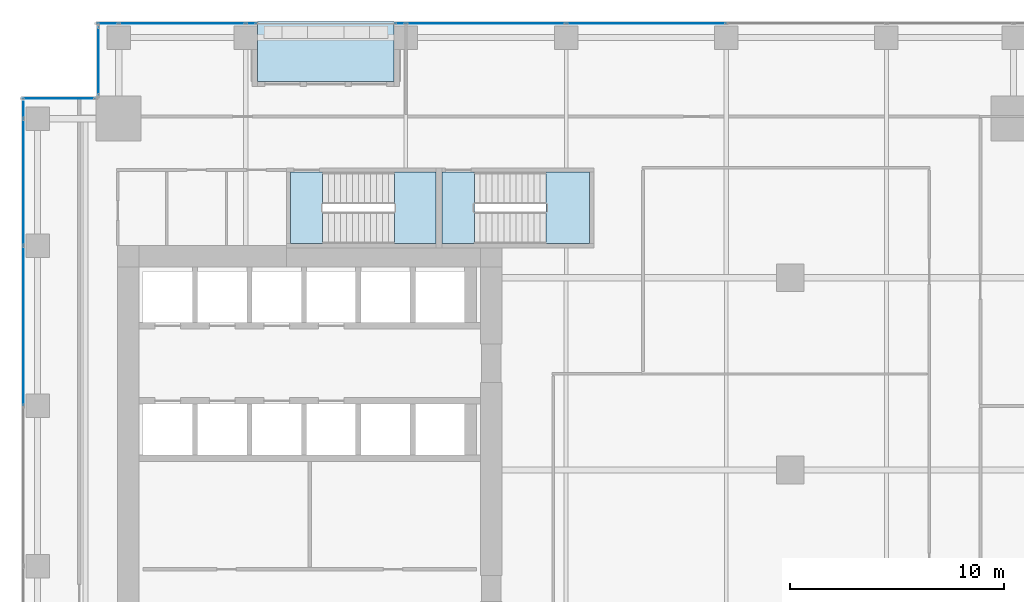
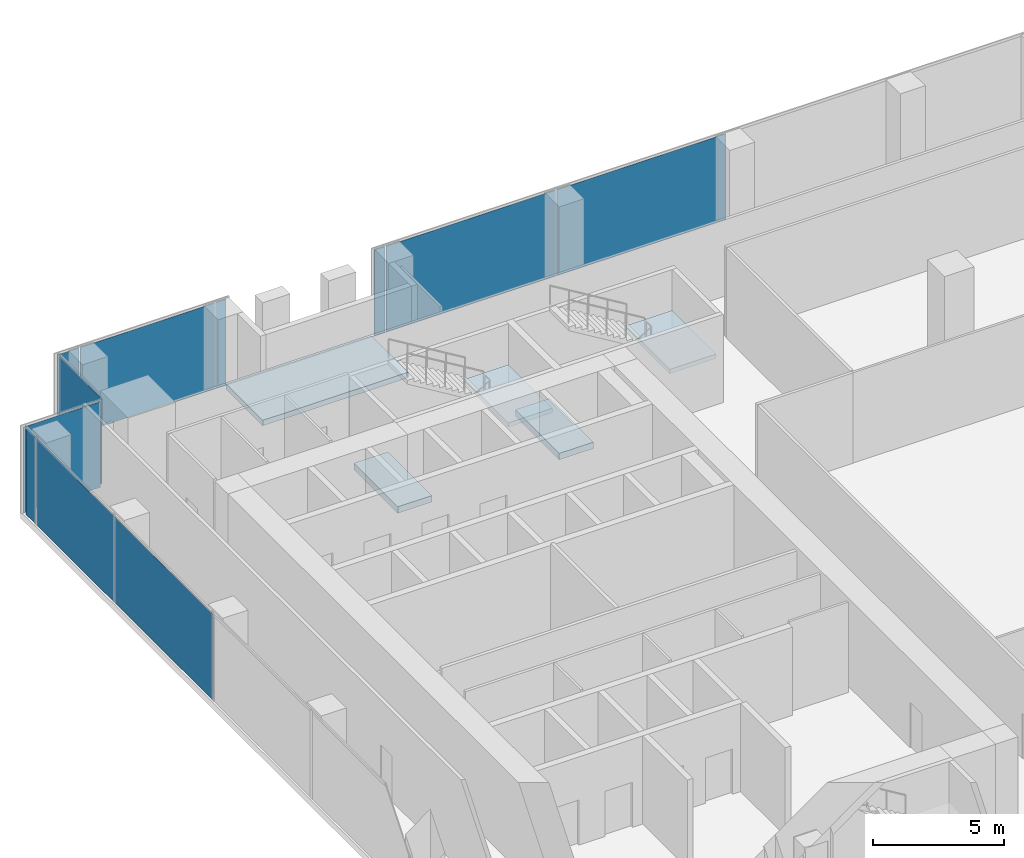
# One storey, part 26 of 34: 11 plates, 5 slabs, 7 elements without a shape of their own.
"""IFC4 building model written with IfcOpenShell, lengths in metres."""

import ifcopenshell
import ifcopenshell.guid

model = None  # the IFC model being written
_history = None  # IfcOwnerHistory: only IFC2X3 demands one
_inside = {}  # id of a spatial element -> (the spatial element, [elements in it])
_under = {}  # id of a project, library or spatial element -> (it, [spatial elements below it])
_declared = {}  # id of a project -> (the project, [libraries it declares])
_typed = {}  # id of a type object -> (the type object, [elements of that type])
_made_of = {}  # id of a material, layer set ... -> (it, [elements and type objects made of it])


def new_model(schema):
    """Start an empty IFC model of exactly this schema.

    Asked for "IFC4X3", IfcOpenShell would pick the latest addendum, in which some entities
    have other attributes; the version numbers below select the first issue.
    IFC2X3 requires an IfcOwnerHistory on every rooted entity: one is made here for all.
    """
    global model, _history
    if schema == "IFC4X3":
        model = ifcopenshell.file(schema_version=(4, 3, 0, 0))
    else:
        model = ifcopenshell.file(schema=schema)
    _inside.clear()
    _under.clear()
    _declared.clear()
    _typed.clear()
    _made_of.clear()
    _history = None
    if model.schema == "IFC2X3":
        org = make("IfcOrganization", Name="unknown")
        user = make(
            "IfcPersonAndOrganization",
            ThePerson=make("IfcPerson", FamilyName="unknown"),
            TheOrganization=org,
        )
        app = make(
            "IfcApplication",
            ApplicationDeveloper=org,
            Version="unknown",
            ApplicationFullName="unknown",
            ApplicationIdentifier="unknown",
        )
        _history = make(
            "IfcOwnerHistory",
            OwningUser=user,
            OwningApplication=app,
            ChangeAction="ADDED",
            CreationDate=0,
        )
    return model


def make(cls, **values):
    """One entity of the class cls with the attributes given. An attribute that is None is left unset."""
    return model.create_entity(
        cls, **{name: value for name, value in values.items() if value is not None}
    )


def rooted(cls, **values):
    """An entity with a GlobalId (a new one), such as an element, a storey or a relation."""
    return make(cls, GlobalId=ifcopenshell.guid.new(), OwnerHistory=_history, **values)


def si_unit(unit_type, name, prefix=None):
    """IfcSIUnit, for example si_unit("LENGTHUNIT", "METRE", prefix="MILLI")."""
    return make("IfcSIUnit", UnitType=unit_type, Prefix=prefix, Name=name)


def assignment(units):
    """IfcUnitAssignment: the units of a project."""
    return None if units is None else make("IfcUnitAssignment", Units=units)


def point(xyz):
    """IfcCartesianPoint."""
    return None if xyz is None else make("IfcCartesianPoint", Coordinates=xyz)


def direction(xyz):
    """IfcDirection."""
    return None if xyz is None else make("IfcDirection", DirectionRatios=xyz)


def frame(location, z_axis=None, x_axis=None):
    """IfcAxis2Placement3D, a coordinate frame: its origin and axes. An axis left out is left unset."""
    return make(
        "IfcAxis2Placement3D",
        Location=point(location),
        Axis=direction(z_axis),
        RefDirection=direction(x_axis),
    )


def frame_2d(location, x_axis=None):
    """IfcAxis2Placement2D, a coordinate frame in the plane: its origin and x axis."""
    return make(
        "IfcAxis2Placement2D", Location=point(location), RefDirection=direction(x_axis)
    )


def origin():
    """The frame at (0, 0, 0) with its axes left unset."""
    return frame((0.0, 0.0, 0.0))


def origin_2d():
    """The frame at (0, 0) in the plane with its x axis left unset."""
    return frame_2d((0.0, 0.0))


def place(relative_to, where):
    """IfcLocalPlacement: puts the frame where relative to a parent placement (None: the world)."""
    return make(
        "IfcLocalPlacement", PlacementRelTo=relative_to, RelativePlacement=where
    )


def context(
    kind, dimensions, precision=None, world=None, true_north=None, identifier=None
):
    """IfcGeometricRepresentationContext, for example the 3D "Model" context."""
    return make(
        "IfcGeometricRepresentationContext",
        ContextIdentifier=identifier,
        ContextType=kind,
        CoordinateSpaceDimension=dimensions,
        Precision=precision,
        WorldCoordinateSystem=world,
        TrueNorth=true_north,
    )


def subcontext(parent, identifier, kind, view, scale=None):
    """IfcGeometricRepresentationSubContext, for example "Body" below "Model"."""
    return make(
        "IfcGeometricRepresentationSubContext",
        ContextIdentifier=identifier,
        ContextType=kind,
        ParentContext=parent,
        TargetScale=scale,
        TargetView=view,
    )


def project(units=None, contexts=None):
    """IfcProject with its units and contexts."""
    return rooted(
        "IfcProject",
        Name="project",
        RepresentationContexts=contexts,
        UnitsInContext=assignment(units),
    )


def spatial(cls, under=None, at=None, **own):
    """A site, building, storey or space (cls), placed at a placement, below another one or the project."""
    s = rooted(cls, ObjectPlacement=at, **own)
    if under is not None:
        _under.setdefault(under.id(), (under, []))[1].append(s)
    return s


def polyline(points):
    """IfcPolyline through the points."""
    return make("IfcPolyline", Points=[point(p) for p in points])


def profile(cls, at=None, kind="AREA", **sizes):
    """A parametric profile (cls). Its sizes go by their IFC names, for example OverallWidth=200.0."""
    return make(cls, ProfileType=kind, Position=at, **sizes)


def rectangle(**sizes):
    """IfcRectangleProfileDef."""
    return profile("IfcRectangleProfileDef", **sizes)


def outline(outer, holes=None, kind="AREA"):
    """IfcArbitraryClosedProfileDef: a profile drawn as a closed curve; with holes, ...WithVoids."""
    if holes is None:
        return make("IfcArbitraryClosedProfileDef", ProfileType=kind, OuterCurve=outer)
    return make(
        "IfcArbitraryProfileDefWithVoids",
        ProfileType=kind,
        OuterCurve=outer,
        InnerCurves=holes,
    )


def extrude(swept, where, along, depth):
    """IfcExtrudedAreaSolid: the profile swept, set in the frame where, extruded along a direction by depth."""
    return make(
        "IfcExtrudedAreaSolid",
        SweptArea=swept,
        Position=where,
        ExtrudedDirection=direction(along),
        Depth=depth,
    )


def shape(context_of_items, identifier, shape_type, items):
    """IfcShapeRepresentation: the items that make up one representation, for example the "Body"."""
    return make(
        "IfcShapeRepresentation",
        ContextOfItems=context_of_items,
        RepresentationIdentifier=identifier,
        RepresentationType=shape_type,
        Items=items,
    )


def source(mapping_origin, context_of_items, identifier, shape_type, items):
    """IfcRepresentationMap: a shape defined once, which mapped items show again and again."""
    return make(
        "IfcRepresentationMap",
        MappingOrigin=mapping_origin,
        MappedRepresentation=shape(context_of_items, identifier, shape_type, items),
    )


def transform(
    local_origin,
    x_axis=None,
    y_axis=None,
    z_axis=None,
    scale=None,
    scale2=None,
    scale3=None,
    uniform=True,
):
    """IfcCartesianTransformationOperator3D, or its non-uniform kind. x_axis, y_axis, z_axis: its Axis1, 2, 3."""
    if uniform:
        return make(
            "IfcCartesianTransformationOperator3D",
            Axis1=direction(x_axis),
            Axis2=direction(y_axis),
            LocalOrigin=point(local_origin),
            Scale=scale,
            Axis3=direction(z_axis),
        )
    return make(
        "IfcCartesianTransformationOperator3DnonUniform",
        Axis1=direction(x_axis),
        Axis2=direction(y_axis),
        LocalOrigin=point(local_origin),
        Scale=scale,
        Axis3=direction(z_axis),
        Scale2=scale2,
        Scale3=scale3,
    )


def mapped(mapping_source, mapping_target):
    """IfcMappedItem: shows the shape of a source again, moved by a transform."""
    return make(
        "IfcMappedItem", MappingSource=mapping_source, MappingTarget=mapping_target
    )


def material(Name=None, Category=None):
    """IfcMaterial."""
    return make("IfcMaterial", Name=Name, Category=Category)


def layer(
    of_material, thickness, ventilated=None, Name=None, Category=None, Priority=None
):
    """IfcMaterialLayer: one layer of a wall or slab, of a material (None: an air gap)."""
    return make(
        "IfcMaterialLayer",
        Material=of_material,
        LayerThickness=thickness,
        IsVentilated=ventilated,
        Name=Name,
        Category=Category,
        Priority=Priority,
    )


def layer_set(layers, Name=None):
    """IfcMaterialLayerSet."""
    return make("IfcMaterialLayerSet", MaterialLayers=layers, LayerSetName=Name)


def made_of(thing, what):
    """Note that an element or type object is made of a material, layer set ...; save() writes the relation."""
    if what is not None:
        _made_of.setdefault(what.id(), (what, []))[1].append(thing)
    return thing


def type_object(cls, material=None, **own):
    """A type object (cls), such as IfcWallType, which elements share."""
    return made_of(rooted(cls, **own), material)


def element(
    cls,
    number,
    at=None,
    inside=None,
    cuts=None,
    type_object=None,
    material=None,
    context=None,
    identifier="Body",
    shape_type=None,
    held_by="IfcProductDefinitionShape",
    body=None,
    shapes=None,
    **own,
):
    """One element of the class cls, such as IfcWall. Its Tag is "e" and its number.

    at: its placement. inside: the storey or other place that contains it. cuts: it is an
    opening in that element (IfcRelVoidsElement). A single representation is given by context,
    identifier, shape_type and body (its items); several are given by shapes. held_by: the class
    of the entity that holds the representations. save() writes the other relations.
    """
    e = rooted(cls, Tag="e%d" % number, ObjectPlacement=at, **own)
    if body is not None:
        shapes = [shape(context, identifier, shape_type, body)]
    if shapes is not None:
        e.Representation = make(held_by, Representations=shapes)
    if inside is not None:
        _inside.setdefault(inside.id(), (inside, []))[1].append(e)
    if cuts is not None:
        rooted(
            "IfcRelVoidsElement", RelatingBuildingElement=cuts, RelatedOpeningElement=e
        )
    if type_object is not None:
        _typed.setdefault(type_object.id(), (type_object, []))[1].append(e)
    return made_of(e, material)


def aggregate(whole, parts):
    """IfcRelAggregates: a whole, such as a stair, and the parts it consists of."""
    return rooted("IfcRelAggregates", RelatingObject=whole, RelatedObjects=parts)


def save(model, path):
    """Write the relations noted so far, then the file.

    IfcRelAggregates (storeys below a building ...), IfcRelContainedInSpatialStructure (elements
    in a storey), IfcRelDefinesByType, IfcRelAssociatesMaterial and IfcRelDeclares: one each for
    every whole, place, type object, material and project.
    """
    for whole, parts in _under.values():
        aggregate(whole, parts)
    for where, things in _inside.values():
        rooted(
            "IfcRelContainedInSpatialStructure",
            RelatedElements=things,
            RelatingStructure=where,
        )
    for kind, things in _typed.values():
        rooted("IfcRelDefinesByType", RelatedObjects=things, RelatingType=kind)
    for what, things in _made_of.values():
        rooted("IfcRelAssociatesMaterial", RelatedObjects=things, RelatingMaterial=what)
    for by, libraries in _declared.values():
        rooted("IfcRelDeclares", RelatingContext=by, RelatedDefinitions=libraries)
    model.write(path)


model = new_model("IFC4")

# Units and contexts
model_context = context("Model", 3, precision=1e-05, world=origin(), true_north=direction((0.0, 1.0)))
body_context = subcontext(model_context, "Body", "Model", "MODEL_VIEW")
ifc_project = project(units=[si_unit("LENGTHUNIT", "METRE"), si_unit("AREAUNIT", "SQUARE_METRE"), si_unit("VOLUMEUNIT", "CUBIC_METRE"), si_unit("PLANEANGLEUNIT", "RADIAN"), si_unit("MASSUNIT", "GRAM", prefix="KILO")], contexts=[model_context])

# Site, building, storey
site_placement = place(None, origin())
site = spatial("IfcSite", under=ifc_project, at=site_placement, CompositionType="ELEMENT")
building_placement = place(site_placement, origin())
building = spatial("IfcBuilding", under=site, at=building_placement, Name="Khomas Fold Tower", CompositionType="ELEMENT")
storey_placement = place(building_placement, frame((0.0, 0.0, 145.5)))
storey = spatial("IfcBuildingStorey", under=building, at=storey_placement, Name="L31", CompositionType="ELEMENT", Elevation=145.5)

# Curtain wall, plate
ifc_material_1 = material(Name="Aluminium framed double glazing", Category="aluminium")
curtain_wall_type = type_object("IfcCurtainWallType", Name="SK-Unitised clear-glass wall, growing floors CW1", PredefinedType="NOTDEFINED", material=ifc_material_1)
curtain_wall_1_placement = place(storey_placement, origin())
curtain_wall_1 = element("IfcCurtainWall", 1, at=curtain_wall_1_placement, inside=storey, type_object=curtain_wall_type, Name="CW1 run L31 09-0", PredefinedType="NOTDEFINED")
ifc_material_2 = material(Name="Clear double glazed unit")
ifc_layer_1 = layer(ifc_material_2, 0.031982421875)
ifc_layer_set_1 = layer_set([ifc_layer_1], Name="Clear double glazed unit")
plate_type = type_object("IfcPlateType", Name="SK-Unitised clear-glass wall, growing floors glass panel CW1-P", PredefinedType="CURTAIN_PANEL", material=ifc_layer_set_1)
shared_shape_1 = source(origin(), body_context, "Body", "SweptSolid", [
    extrude(rectangle(XDim=0.760009765625, YDim=0.031982421875, at=origin_2d()), origin(), (0.0, 0.0, 1.0), 3.97998046875),
])
plate_1_placement = place(storey_placement, frame((1.60009765625, 48.360107421875, 0.0), z_axis=(0.0, 0.0, 1.0), x_axis=(0.0, -1.0, 0.0)))
plate_1 = element("IfcPlate", 2, at=plate_1_placement, type_object=plate_type, Name="CW1 glass panel 1", PredefinedType="CURTAIN_PANEL", context=body_context, shape_type="MappedRepresentation", body=[
    mapped(shared_shape_1, transform((0.0, 0.0, 0.0))),
])

curtain_wall_2_placement = place(storey_placement, origin())
curtain_wall_2 = element("IfcCurtainWall", 3, at=curtain_wall_2_placement, inside=storey, type_object=curtain_wall_type, Name="CW1 run L31 06-1", PredefinedType="NOTDEFINED")
shared_shape_2 = source(origin(), body_context, "Body", "SweptSolid", [
    extrude(rectangle(XDim=5.889892578125, YDim=0.031982421875, at=origin_2d()), origin(), (0.0, 0.0, 1.0), 3.97998046875),
])
plate_2_placement = place(storey_placement, frame((9.02490234375, 52.39990234375, 0.0), z_axis=(0.0, 0.0, 1.0), x_axis=(-1.0, 0.0, 0.0)))
plate_2 = element("IfcPlate", 4, at=plate_2_placement, type_object=plate_type, Name="CW1 glass panel 2", PredefinedType="CURTAIN_PANEL", context=body_context, shape_type="MappedRepresentation", body=[
    mapped(shared_shape_2, transform((0.0, 0.0, 0.0))),
])

# Plate
plate_3_placement = place(storey_placement, frame((1.60009765625, 44.97509765625, 0.0), z_axis=(0.0, 0.0, 1.0), x_axis=(0.0, -1.0, 0.0)))
plate_3 = element("IfcPlate", 5, at=plate_3_placement, type_object=plate_type, Name="CW1 glass panel 2", PredefinedType="CURTAIN_PANEL", context=body_context, shape_type="MappedRepresentation", body=[
    mapped(shared_shape_2, transform((0.0, 0.0, 0.0))),
])

# Curtain wall, plates
curtain_wall_3_placement = place(storey_placement, origin())
curtain_wall_3 = element("IfcCurtainWall", 6, at=curtain_wall_3_placement, inside=storey, type_object=curtain_wall_type, Name="CW1 run L31 06-0", PredefinedType="NOTDEFINED")
shared_shape_3 = source(origin(), body_context, "Body", "SweptSolid", [
    extrude(rectangle(XDim=7.43994140625, YDim=0.031982421875, at=origin_2d()), origin(), (0.0, 0.0, 1.0), 3.97998046875),
])
plate_4_placement = place(storey_placement, frame((30.75, 52.39990234375, 0.0), z_axis=(0.0, 0.0, 1.0), x_axis=(-1.0, 0.0, 0.0)))
plate_4 = element("IfcPlate", 7, at=plate_4_placement, type_object=plate_type, Name="CW1 glass panel 4", PredefinedType="CURTAIN_PANEL", context=body_context, shape_type="MappedRepresentation", body=[
    mapped(shared_shape_3, transform((0.0, 0.0, 0.0))),
])
plate_5_placement = place(storey_placement, frame((23.25, 52.39990234375, 0.0), z_axis=(0.0, 0.0, 1.0), x_axis=(-1.0, 0.0, 0.0)))
plate_5 = element("IfcPlate", 8, at=plate_5_placement, type_object=plate_type, Name="CW1 glass panel 5", PredefinedType="CURTAIN_PANEL", context=body_context, shape_type="MappedRepresentation", body=[
    mapped(shared_shape_3, transform((0.0, 0.0, 0.0))),
])

# Plate
plate_6_placement = place(storey_placement, frame((1.60009765625, 38.25, 0.0), z_axis=(0.0, 0.0, 1.0), x_axis=(0.0, -1.0, 0.0)))
plate_6 = element("IfcPlate", 9, at=plate_6_placement, type_object=plate_type, Name="CW1 glass panel 3", PredefinedType="CURTAIN_PANEL", context=body_context, shape_type="MappedRepresentation", body=[
    mapped(shared_shape_3, transform((0.0, 0.0, 0.0))),
])

aggregate(curtain_wall_1, [plate_1, plate_3, plate_6])

shared_shape_4 = source(origin(), body_context, "Body", "SweptSolid", [
    extrude(rectangle(XDim=0.9599609375, YDim=0.031982421875, at=origin_2d()), origin(), (0.0, 0.0, 1.0), 3.97998046875),
])
plate_7_placement = place(storey_placement, frame((5.5400390625, 52.39990234375, 0.0), z_axis=(0.0, 0.0, 1.0), x_axis=(-1.0, 0.0, 0.0)))
plate_7 = element("IfcPlate", 10, at=plate_7_placement, type_object=plate_type, Name="CW1 glass panel 3", PredefinedType="CURTAIN_PANEL", context=body_context, shape_type="MappedRepresentation", body=[
    mapped(shared_shape_4, transform((0.0, 0.0, 0.0))),
])

# Curtain wall, plate
curtain_wall_4_placement = place(storey_placement, origin())
curtain_wall_4 = element("IfcCurtainWall", 11, at=curtain_wall_4_placement, inside=storey, type_object=curtain_wall_type, Name="CW1 corner return L31 07", PredefinedType="NOTDEFINED")
shared_shape_5 = source(origin(), body_context, "Body", "SweptSolid", [
    extrude(rectangle(XDim=3.179931640625, YDim=0.031982421875, at=origin_2d()), origin(), (0.0, 0.0, 1.0), 3.97998046875),
])
plate_8_placement = place(storey_placement, frame((5.10009765625, 50.64990234375, 0.0), z_axis=(0.0, 0.0, 1.0), x_axis=(0.0, -1.0, 0.0)))
plate_8 = element("IfcPlate", 12, at=plate_8_placement, type_object=plate_type, Name="CW1 glass panel 1", PredefinedType="CURTAIN_PANEL", context=body_context, shape_type="MappedRepresentation", body=[
    mapped(shared_shape_5, transform((0.0, 0.0, 0.0))),
])
aggregate(curtain_wall_4, [plate_8])

curtain_wall_5_placement = place(storey_placement, origin())
curtain_wall_5 = element("IfcCurtainWall", 13, at=curtain_wall_5_placement, inside=storey, type_object=curtain_wall_type, Name="CW1 corner return L31 08", PredefinedType="NOTDEFINED")
shared_shape_6 = source(origin(), body_context, "Body", "SweptSolid", [
    extrude(rectangle(XDim=3.3798828125, YDim=0.031982421875, at=origin_2d()), origin(), (0.0, 0.0, 1.0), 3.97998046875),
])
plate_9_placement = place(storey_placement, frame((3.25, 48.89990234375, 0.0), z_axis=(0.0, 0.0, 1.0), x_axis=(-1.0, 0.0, 0.0)))
plate_9 = element("IfcPlate", 14, at=plate_9_placement, type_object=plate_type, Name="CW1 glass panel 1", PredefinedType="CURTAIN_PANEL", context=body_context, shape_type="MappedRepresentation", body=[
    mapped(shared_shape_6, transform((0.0, 0.0, 0.0))),
])
aggregate(curtain_wall_5, [plate_9])

# Plate
shared_shape_7 = source(origin(), body_context, "Body", "SweptSolid", [
    extrude(rectangle(XDim=0.4599609375, YDim=0.031982421875, at=origin_2d()), origin(), (0.0, 0.0, 1.0), 3.97998046875),
])
plate_10_placement = place(storey_placement, frame((19.239990234375, 52.39990234375, 0.0), z_axis=(0.0, 0.0, 1.0), x_axis=(-1.0, 0.0, 0.0)))
plate_10 = element("IfcPlate", 15, at=plate_10_placement, type_object=plate_type, Name="CW1 glass panel 6", PredefinedType="CURTAIN_PANEL", context=body_context, shape_type="MappedRepresentation", body=[
    mapped(shared_shape_7, transform((0.0, 0.0, 0.0))),
])

aggregate(curtain_wall_3, [plate_4, plate_5, plate_10])

plate_11_placement = place(storey_placement, frame((12.260009765625, 52.39990234375, 0.0), z_axis=(0.0, 0.0, 1.0), x_axis=(-1.0, 0.0, 0.0)))
plate_11 = element("IfcPlate", 16, at=plate_11_placement, type_object=plate_type, Name="CW1 glass panel 1", PredefinedType="CURTAIN_PANEL", context=body_context, shape_type="MappedRepresentation", body=[
    mapped(shared_shape_7, transform((0.0, 0.0, 0.0))),
])

aggregate(curtain_wall_2, [plate_11, plate_2, plate_7])

# Slab
ifc_material_3 = material(Name="Concrete C40/50", Category="concrete")
ifc_layer_2 = layer(ifc_material_3, 0.2548828125)
ifc_layer_set_2 = layer_set([ifc_layer_2], Name="Concrete C40/50")
slab_type_1 = type_object("IfcSlabType", Name="BL-Balcony deck 255", PredefinedType="FLOOR", material=ifc_layer_set_2)
shared_shape_8 = source(origin(), body_context, "Body", "SweptSolid", [
    extrude(outline(polyline([(12.550048828125, 49.699951171875), (18.949951171875, 49.699951171875), (18.949951171875, 52.5), (12.550048828125, 52.5), (12.550048828125, 49.699951171875)])), origin(), (0.0, 0.0, 1.0), 0.255126953125),
])
slab_1_placement = place(storey_placement, frame((0.0, 0.0, -0.300048828125)))
element("IfcSlab", 17, at=slab_1_placement, inside=storey, type_object=slab_type_1, Name="Balcony deck BAL-L31-N1", PredefinedType="FLOOR", context=body_context, shape_type="MappedRepresentation", body=[
    mapped(shared_shape_8, transform((0.0, 0.0, 0.0))),
])

# Stair, slab
ifc_material_4 = material(Name="Concrete C40/50", Category="concrete")
stair_type_1 = type_object("IfcStairType", Name="Stair ST1", PredefinedType="HALF_TURN_STAIR", material=ifc_material_4)
stair_1_placement = place(storey_placement, origin())
stair_1 = element("IfcStair", 18, at=stair_1_placement, inside=storey, type_object=stair_type_1, Name="L31 ST1", PredefinedType="HALF_TURN_STAIR")
ifc_material_5 = material(Name="Concrete C40/50", Category="concrete")
ifc_layer_3 = layer(ifc_material_5, 0.199951171875)
ifc_layer_set_3 = layer_set([ifc_layer_3], Name="Concrete C40/50")
slab_type_2 = type_object("IfcSlabType", Name="Stair landing 200", PredefinedType="LANDING", material=ifc_layer_set_3)
shared_shape_9 = source(origin(), body_context, "Body", "SweptSolid", [
    extrude(outline(polyline([(18.9599609375, 42.10009765625), (20.89990234375, 42.10009765625), (20.89990234375, 45.449951171875), (18.9599609375, 45.449951171875), (18.9599609375, 42.10009765625)])), origin(), (0.0, 0.0, 1.0), 0.199951171875),
])
slab_2_placement = place(storey_placement, frame((0.0, 0.0, 2.0)))
slab_2 = element("IfcSlab", 19, at=slab_2_placement, type_object=slab_type_2, Name="ST1 landing 1", PredefinedType="LANDING", context=body_context, shape_type="MappedRepresentation", body=[
    mapped(shared_shape_9, transform((0.0, 0.0, 0.0))),
])
aggregate(stair_1, [slab_2])

# Slab
ifc_material_6 = material(Name="Concrete C40/50", Category="concrete")
ifc_layer_4 = layer(ifc_material_6, 0.300048828125)
ifc_layer_set_4 = layer_set([ifc_layer_4], Name="Concrete C40/50")
slab_type_3 = type_object("IfcSlabType", Name="Stair floor landing 300", PredefinedType="LANDING", material=ifc_layer_set_4)
shared_shape_10 = source(origin(), body_context, "Body", "SweptSolid", [
    extrude(outline(polyline([(15.60009765625, 42.10009765625), (14.10009765625, 42.10009765625), (14.10009765625, 45.449951171875), (15.60009765625, 45.449951171875), (15.60009765625, 42.10009765625)])), origin(), (0.0, 0.0, 1.0), 0.300048828125),
])
slab_3_placement = place(storey_placement, frame((0.0, 0.0, -0.300048828125)))
element("IfcSlab", 20, at=slab_3_placement, inside=storey, type_object=slab_type_3, Name="ST1 floor landing", PredefinedType="LANDING", context=body_context, shape_type="MappedRepresentation", body=[
    mapped(shared_shape_10, transform((0.0, 0.0, 0.0))),
])

# Stair, slab
ifc_material_7 = material(Name="Concrete C40/50", Category="concrete")
stair_type_2 = type_object("IfcStairType", Name="Stair ST3", PredefinedType="HALF_TURN_STAIR", material=ifc_material_7)
stair_2_placement = place(storey_placement, origin())
stair_2 = element("IfcStair", 21, at=stair_2_placement, inside=storey, type_object=stair_type_2, Name="L31 ST3", PredefinedType="HALF_TURN_STAIR")
shared_shape_11 = source(origin(), body_context, "Body", "SweptSolid", [
    extrude(outline(polyline([(26.06005859375, 42.10009765625), (28.10009765625, 42.10009765625), (28.10009765625, 45.449951171875), (26.06005859375, 45.449951171875), (26.06005859375, 42.10009765625)])), origin(), (0.0, 0.0, 1.0), 0.199951171875),
])
slab_4_placement = place(storey_placement, frame((0.0, 0.0, 2.0)))
slab_4 = element("IfcSlab", 22, at=slab_4_placement, type_object=slab_type_2, Name="ST3 landing 1", PredefinedType="LANDING", context=body_context, shape_type="MappedRepresentation", body=[
    mapped(shared_shape_11, transform((0.0, 0.0, 0.0))),
])
aggregate(stair_2, [slab_4])

# Slab
shared_shape_12 = source(origin(), body_context, "Body", "SweptSolid", [
    extrude(outline(polyline([(22.699951171875, 42.10009765625), (21.199951171875, 42.10009765625), (21.199951171875, 45.449951171875), (22.699951171875, 45.449951171875), (22.699951171875, 42.10009765625)])), origin(), (0.0, 0.0, 1.0), 0.300048828125),
])
slab_5_placement = place(storey_placement, frame((0.0, 0.0, -0.300048828125)))
element("IfcSlab", 23, at=slab_5_placement, inside=storey, type_object=slab_type_3, Name="ST3 floor landing", PredefinedType="LANDING", context=body_context, shape_type="MappedRepresentation", body=[
    mapped(shared_shape_12, transform((0.0, 0.0, 0.0))),
])

save(model, "model.ifc")
